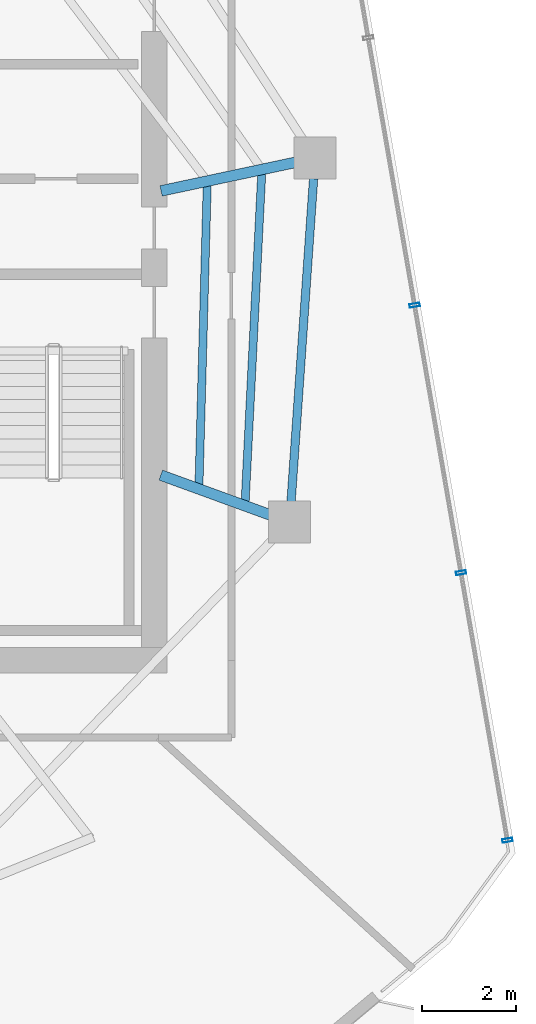
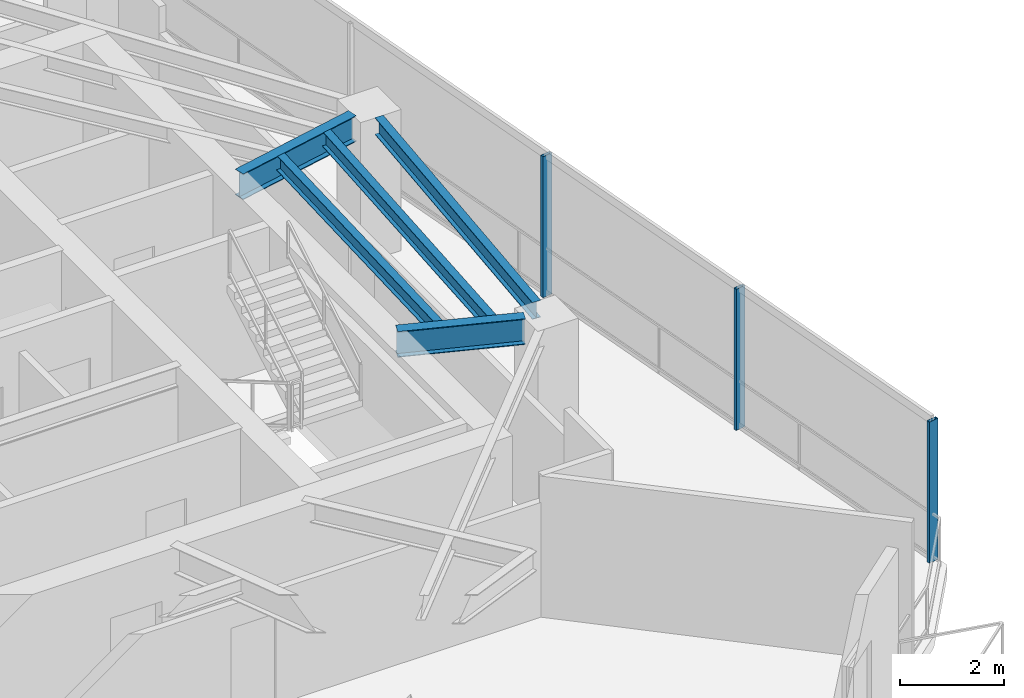
# One storey, part 9 of 18: 5 beams, 3 members, 1 element without a shape of its own.
"""IFC4 building model written with IfcOpenShell, lengths in metres."""

from ifc_helpers import new_model, si_unit, direction, frame, origin, origin_2d, place, context, subcontext, project, spatial, hollow_rectangle, i_section, extrude, material, layer, layer_set, material_profile, profile_set, type_object, element, aggregate, save


model = new_model("IFC4")

# Units and contexts
model_context = context("Model", 3, precision=1e-05, world=origin(), true_north=direction((0.0, 1.0)))
body_context = subcontext(model_context, "Body", "Model", "MODEL_VIEW")
ifc_project = project(units=[si_unit("LENGTHUNIT", "METRE"), si_unit("AREAUNIT", "SQUARE_METRE"), si_unit("VOLUMEUNIT", "CUBIC_METRE"), si_unit("PLANEANGLEUNIT", "RADIAN"), si_unit("MASSUNIT", "GRAM", prefix="KILO")], contexts=[model_context])

# Site, building, storey
site_placement = place(None, origin())
site = spatial("IfcSite", under=ifc_project, at=site_placement, CompositionType="ELEMENT")
building_placement = place(site_placement, origin())
building = spatial("IfcBuilding", under=site, at=building_placement, Name="Qarnah Convention Tower", CompositionType="ELEMENT")
storey_placement = place(building_placement, frame((0.0, 0.0, 216.60009765625)))
storey = spatial("IfcBuildingStorey", under=building, at=storey_placement, Name="L58", CompositionType="ELEMENT", Elevation=216.60009765625)

# Beams
ifc_material_1 = material(Name="Structural steel S355JR", Category="steel")
ifc_material_profile_1 = material_profile(ifc_material_1, i_section(OverallWidth=0.172119140625, OverallDepth=0.35595703125, WebThickness=0.007080078125, FlangeThickness=0.011962890625, at=origin_2d()), Name="W360X51")
ifc_profile_set_1 = profile_set([ifc_material_profile_1], Name="Structural steel S355JR")
beam_type_1 = type_object("IfcBeamType", Name="BM-JST-W360", PredefinedType="JOIST", material=ifc_profile_set_1)
beam_1_placement = place(storey_placement, frame((49.5458984375, 21.998046875, 3.141845703125), z_axis=(0.050414487477, 0.998728381219, 0.0), x_axis=(-0.998728381219, 0.050414487477, 0.0)))
element("IfcBeam", 1, at=beam_1_placement, inside=storey, type_object=beam_type_1, Name="L58 joist BM-L58-SJST-09", PredefinedType="JOIST", context=body_context, shape_type="SweptSolid", body=[
    extrude(i_section(OverallWidth=0.172119140625, OverallDepth=0.35595703125, WebThickness=0.007080078125, FlangeThickness=0.011962890625, at=origin_2d()), origin(), (0.0, 0.0, 1.0), 7.02197265625),
])
beam_2_placement = place(storey_placement, frame((48.55810546875, 22.35595703125, 3.141845703125), z_axis=(0.027429745352, 0.999623733747, 0.0), x_axis=(-0.999623733747, 0.027429745352, 0.0)))
element("IfcBeam", 2, at=beam_2_placement, inside=storey, type_object=beam_type_1, Name="L58 joist BM-L58-IJST-09", PredefinedType="JOIST", context=body_context, shape_type="SweptSolid", body=[
    extrude(i_section(OverallWidth=0.172119140625, OverallDepth=0.35595703125, WebThickness=0.007080078125, FlangeThickness=0.011962890625, at=origin_2d()), origin(), (0.0, 0.0, 1.0), 6.408447265625),
])
ifc_material_profile_2 = material_profile(ifc_material_1, i_section(OverallWidth=0.22802734375, OverallDepth=0.60791015625, WebThickness=0.010986328125, FlangeThickness=0.01708984375, at=origin_2d()), Name="W610X113")
ifc_profile_set_2 = profile_set([ifc_material_profile_2], Name="Structural steel S355JR")
beam_type_2 = type_object("IfcBeamType", Name="BM-RAD-W610B", PredefinedType="BEAM", material=ifc_profile_set_2)
beam_3_placement = place(storey_placement, frame((47.7470703125, 28.64208984375, 3.015869140625), z_axis=(0.978136876062, 0.207962140033, 0.0), x_axis=(-0.207962140033, 0.978136876062, 0.0)))
element("IfcBeam", 3, at=beam_3_placement, inside=storey, type_object=beam_type_2, Name="L58 beam BM-L58-RAD-01", PredefinedType="BEAM", context=body_context, shape_type="SweptSolid", body=[
    extrude(i_section(OverallWidth=0.22802734375, OverallDepth=0.60791015625, WebThickness=0.010986328125, FlangeThickness=0.01708984375, at=origin_2d()), origin(), (0.0, 0.0, 1.0), 2.937255859375),
])
beam_4_placement = place(storey_placement, frame((47.740966796875, 22.56298828125, 3.015869140625), z_axis=(0.939707956932, -0.341978004671, 0.0), x_axis=(0.341978004671, 0.939707956932, 0.0)))
element("IfcBeam", 4, at=beam_4_placement, inside=storey, type_object=beam_type_2, Name="L58 beam BM-L58-RAD-09", PredefinedType="BEAM", context=body_context, shape_type="SweptSolid", body=[
    extrude(i_section(OverallWidth=0.22802734375, OverallDepth=0.60791015625, WebThickness=0.010986328125, FlangeThickness=0.01708984375, at=origin_2d()), origin(), (0.0, 0.0, 1.0), 2.5029296875),
])
ifc_material_profile_3 = material_profile(ifc_material_1, i_section(OverallWidth=0.179931640625, OverallDepth=0.39990234375, WebThickness=0.009033203125, FlangeThickness=0.013916015625, at=origin_2d()), Name="IPE400")
ifc_profile_set_3 = profile_set([ifc_material_profile_3], Name="Structural steel S355JR")
beam_type_3 = type_object("IfcBeamType", Name="BM-SPN-IPE400", PredefinedType="SPANDREL", material=ifc_profile_set_3)
beam_5_placement = place(storey_placement, frame((50.528076171875, 21.9990234375, 3.119873046875), z_axis=(0.069635000818, 0.997572537042, 0.0), x_axis=(-0.997572537042, 0.069635000818, 0.0)))
element("IfcBeam", 5, at=beam_5_placement, inside=storey, type_object=beam_type_3, Name="L58 spandrel BM-L58-SPN-09", PredefinedType="SPANDREL", context=body_context, shape_type="SweptSolid", body=[
    extrude(i_section(OverallWidth=0.179931640625, OverallDepth=0.39990234375, WebThickness=0.009033203125, FlangeThickness=0.013916015625, at=origin_2d()), origin(), (0.0, 0.0, 1.0), 6.9208984375),
])

# Curtain wall, members
ifc_material_2 = material(Name="Tempered Low-E dark glass", Category="glass")
ifc_layer = layer(ifc_material_2, 0.174072265625)
ifc_layer_set = layer_set([ifc_layer], Name="Tempered Low-E dark glass")
curtain_wall_type = type_object("IfcCurtainWallType", Name="CWS-04", PredefinedType="NOTDEFINED", material=ifc_layer_set)
curtain_wall_placement = place(storey_placement, origin())
curtain_wall = element("IfcCurtainWall", 6, at=curtain_wall_placement, inside=storey, type_object=curtain_wall_type, Name="L58 unitised curtain wall CW-L58-F3", PredefinedType="NOTDEFINED")
ifc_material_3 = material(Name="Black anodised aluminium", Category="aluminium")
ifc_material_profile_4 = material_profile(ifc_material_3, hollow_rectangle(XDim=0.074951171875, YDim=0.219970703125, WallThickness=0.0048828125, at=origin_2d()), Name="MUL-75X220")
ifc_profile_set_4 = profile_set([ifc_material_profile_4], Name="Black anodised aluminium")
member_type = type_object("IfcMemberType", Name="MUL-T4", PredefinedType="MULLION", material=ifc_profile_set_4)
member_1_placement = place(storey_placement, frame((53.171142578125, 26.197021484375, 0.0), z_axis=(0.0, 0.0, 1.0), x_axis=(0.17088479705, -0.985291015963, 0.0)))
member_1 = element("IfcMember", 7, at=member_1_placement, type_object=member_type, Name="CW-L58-F3 mullion 4", PredefinedType="MULLION", context=body_context, shape_type="SweptSolid", body=[
    extrude(hollow_rectangle(XDim=0.074951171875, YDim=0.219970703125, WallThickness=0.0048828125, at=origin_2d()), origin(), (0.0, 0.0, 1.0), 3.31982421875),
])
member_2_placement = place(storey_placement, frame((54.16357421875, 20.47509765625, 0.0), z_axis=(0.0, 0.0, 1.0), x_axis=(0.17088479705, -0.985291015963, 0.0)))
member_2 = element("IfcMember", 8, at=member_2_placement, type_object=member_type, Name="CW-L58-F3 mullion 5", PredefinedType="MULLION", context=body_context, shape_type="SweptSolid", body=[
    extrude(hollow_rectangle(XDim=0.074951171875, YDim=0.219970703125, WallThickness=0.0048828125, at=origin_2d()), origin(), (0.0, 0.0, 1.0), 3.31982421875),
])
member_3_placement = place(storey_placement, frame((55.156005859375, 14.7529296875, 0.0), z_axis=(0.0, 0.0, 1.0), x_axis=(0.17088479705, -0.985291015963, 0.0)))
member_3 = element("IfcMember", 9, at=member_3_placement, type_object=member_type, Name="CW-L58-F3 mullion 6", PredefinedType="MULLION", context=body_context, shape_type="SweptSolid", body=[
    extrude(hollow_rectangle(XDim=0.074951171875, YDim=0.219970703125, WallThickness=0.0048828125, at=origin_2d()), origin(), (0.0, 0.0, 1.0), 3.31982421875),
])
aggregate(curtain_wall, [member_1, member_2, member_3])

save(model, "model.ifc")
